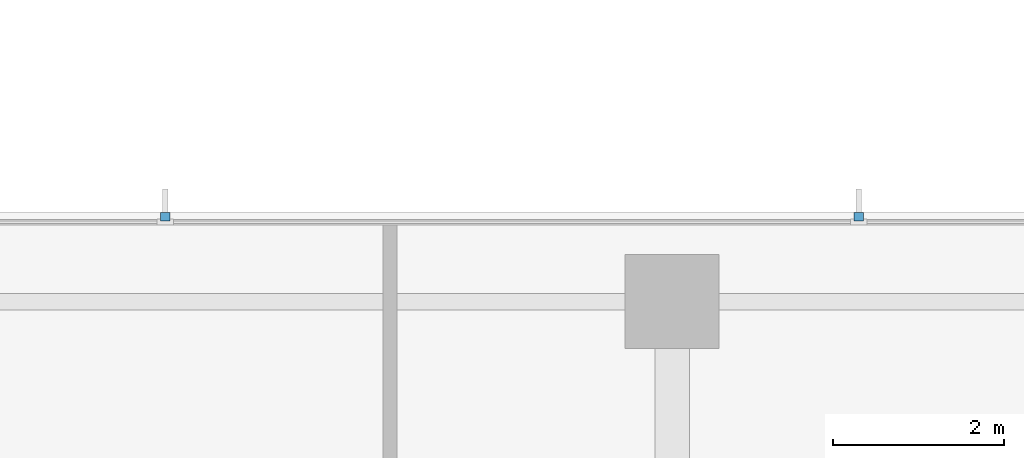
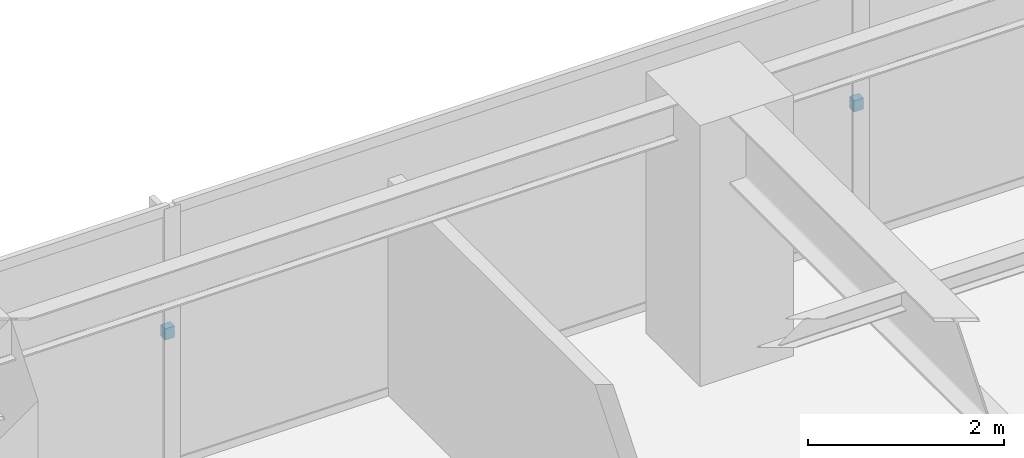
# One storey, part 13 of 15: 2 discrete accessories.
"""IFC4 building model written with IfcOpenShell, lengths in metres."""

from ifc_helpers import new_model, si_unit, direction, frame, origin, place, context, subcontext, project, spatial, polyline, outline, extrude, material, type_object, element, save


model = new_model("IFC4")

# Units and contexts
model_context = context("Model", 3, precision=1e-05, world=origin(), true_north=direction((0.0, 1.0)))
body_context = subcontext(model_context, "Body", "Model", "MODEL_VIEW")
ifc_project = project(units=[si_unit("LENGTHUNIT", "METRE"), si_unit("AREAUNIT", "SQUARE_METRE"), si_unit("VOLUMEUNIT", "CUBIC_METRE"), si_unit("PLANEANGLEUNIT", "RADIAN"), si_unit("MASSUNIT", "GRAM", prefix="KILO")], contexts=[model_context])

# Site, building, storey
site_placement = place(None, origin())
site = spatial("IfcSite", under=ifc_project, at=site_placement, CompositionType="ELEMENT")
building_placement = place(site_placement, origin())
building = spatial("IfcBuilding", under=site, at=building_placement, Name="Qalmaran Belvedere Hotel", CompositionType="ELEMENT")
storey_placement = place(building_placement, frame((0.0, 0.0, 163.10009765625)))
storey = spatial("IfcBuildingStorey", under=building, at=storey_placement, Name="L41", CompositionType="ELEMENT", Elevation=163.10009765625)

# Discrete accessories
ifc_material = material(Name="Stainless Steel 1.4401", Category="steel")
discrete_accessory_type = type_object("IfcDiscreteAccessoryType", Name="BRK-FIN-SS316", PredefinedType="BRACKET", material=ifc_material)
discrete_accessory_1_placement = place(storey_placement, frame((0.0, 0.0, 1.574951171875)))
element("IfcDiscreteAccessory", 1, at=discrete_accessory_1_placement, inside=storey, type_object=discrete_accessory_type, Name="L41 Fin Bracket 1", PredefinedType="BRACKET", context=body_context, shape_type="SweptSolid", body=[
    extrude(outline(polyline([(31.438232421875, 44.39501953125), (31.438232421875, 44.489990234375), (31.328369140625, 44.489990234375), (31.328369140625, 44.39501953125), (31.438232421875, 44.39501953125)])), origin(), (0.0, 0.0, 1.0), 0.139892578125),
])
discrete_accessory_2_placement = place(storey_placement, frame((0.0, 0.0, 1.574951171875)))
element("IfcDiscreteAccessory", 2, at=discrete_accessory_2_placement, inside=storey, type_object=discrete_accessory_type, Name="L41 Fin Bracket 2", PredefinedType="BRACKET", context=body_context, shape_type="SweptSolid", body=[
    extrude(outline(polyline([(23.32177734375, 44.39501953125), (23.32177734375, 44.489990234375), (23.211669921875, 44.489990234375), (23.211669921875, 44.39501953125), (23.32177734375, 44.39501953125)])), origin(), (0.0, 0.0, 1.0), 0.139892578125),
])

save(model, "model.ifc")
